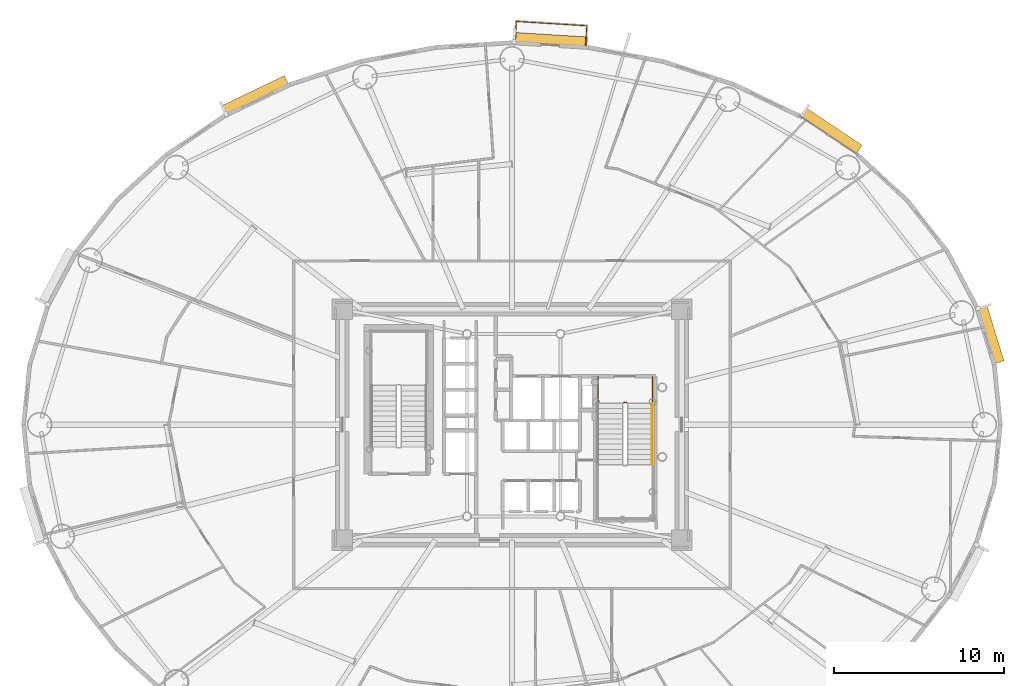
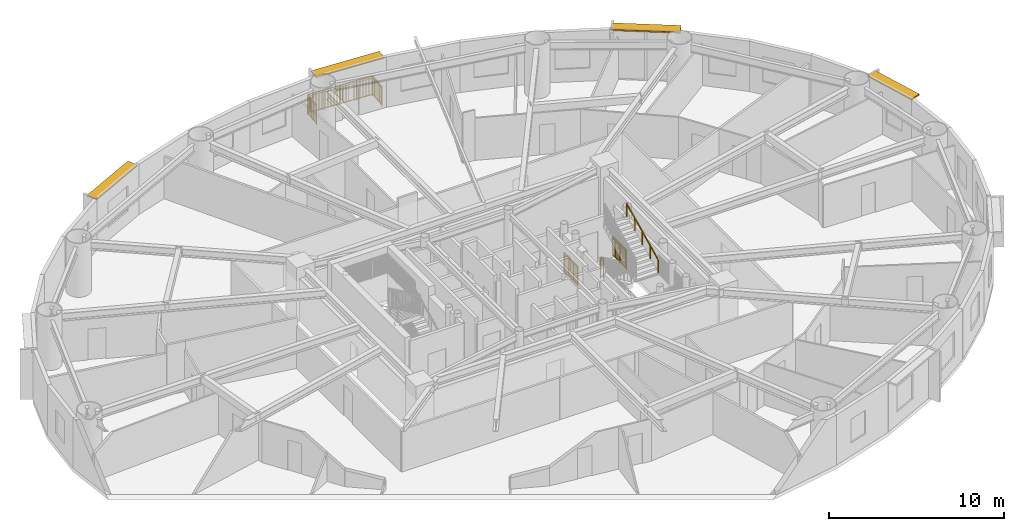
# One storey, part 22 of 22: 5 railings, 4 shading devices.
"""IFC4 building model written with IfcOpenShell, lengths in metres."""

from ifc_helpers import new_model, si_unit, direction, frame, origin, origin_2d, place, context, subcontext, project, spatial, rectangle, extrude, source, transform, mapped, material, layer, layer_set, type_object, element, save


model = new_model("IFC4")

# Units and contexts
model_context = context("Model", 3, precision=1e-05, world=origin(), true_north=direction((0.0, 1.0)))
body_context = subcontext(model_context, "Body", "Model", "MODEL_VIEW")
ifc_project = project(units=[si_unit("LENGTHUNIT", "METRE"), si_unit("AREAUNIT", "SQUARE_METRE"), si_unit("VOLUMEUNIT", "CUBIC_METRE"), si_unit("PLANEANGLEUNIT", "RADIAN"), si_unit("MASSUNIT", "GRAM", prefix="KILO")], contexts=[model_context])

# Site, building, storey
site_placement = place(None, origin())
site = spatial("IfcSite", under=ifc_project, at=site_placement, CompositionType="ELEMENT")
building_placement = place(site_placement, origin())
building = spatial("IfcBuilding", under=site, at=building_placement, Name="Linh Dai School and Residence Tower", CompositionType="ELEMENT")
storey_placement = place(building_placement, frame((0.0, 0.0, 130.949951171875)))
storey = spatial("IfcBuildingStorey", under=building, at=storey_placement, Name="L31", CompositionType="ELEMENT", Elevation=130.949951171875)

# Shading devices
ifc_material_1 = material(Name="Terracotta Ceramic Sunshade", Category="masonry")
ifc_layer = layer(ifc_material_1, 0.10009765625)
ifc_layer_set = layer_set([ifc_layer], Name="Terracotta Ceramic Sunshade")
shading_device_type = type_object("IfcShadingDeviceType", Name="SHD-TC-650", PredefinedType="USERDEFINED", material=ifc_layer_set)
shared_shape_1 = source(origin(), body_context, "Body", "SweptSolid", [
    extrude(rectangle(XDim=3.44384765625, YDim=0.64990234375, at=origin_2d()), origin(), (0.0, 0.0, 1.0), 0.10009765625),
])
shading_device_1_placement = place(storey_placement, frame((64.16845703125, 32.313720703125, 3.3798828125), z_axis=(0.0, 0.0, 1.0), x_axis=(0.293133528962, -0.956071511028, 0.0)))
element("IfcShadingDevice", 1, at=shading_device_1_placement, inside=storey, type_object=shading_device_type, Name="L31 Terracotta Horizontal Sunshade Band 02", ObjectType="SUNSHADE", PredefinedType="USERDEFINED", context=body_context, shape_type="MappedRepresentation", body=[
    mapped(shared_shape_1, transform((0.0, 0.0, 0.0), x_axis=(1.0, 0.0, 0.0), y_axis=(0.0, 1.0, 0.0), z_axis=(0.0, 0.0, 1.0), scale=1.0)),
])
shared_shape_2 = source(origin(), body_context, "Body", "SweptSolid", [
    extrude(rectangle(XDim=3.96484375, YDim=0.64990234375, at=origin_2d()), origin(), (0.0, 0.0, 1.0), 0.10009765625),
])
shading_device_2_placement = place(storey_placement, frame((54.80029296875, 44.288330078125, 3.3798828125), z_axis=(0.0, 0.0, 1.0), x_axis=(0.831240347736, -0.555913198527, 0.0)))
element("IfcShadingDevice", 2, at=shading_device_2_placement, inside=storey, type_object=shading_device_type, Name="L31 Terracotta Horizontal Sunshade Band 06", ObjectType="SUNSHADE", PredefinedType="USERDEFINED", context=body_context, shape_type="MappedRepresentation", body=[
    mapped(shared_shape_2, transform((0.0, 0.0, 0.0), x_axis=(1.0, 0.0, 0.0), y_axis=(0.0, 1.0, 0.0), z_axis=(0.0, 0.0, 1.0), scale=1.0)),
])
shared_shape_3 = source(origin(), body_context, "Body", "SweptSolid", [
    extrude(rectangle(XDim=4.33349609375, YDim=0.64990234375, at=origin_2d()), origin(), (0.0, 0.0, 1.0), 0.10009765625),
])
shading_device_3_placement = place(storey_placement, frame((38.270263671875, 49.650634765625, 3.3798828125), z_axis=(0.0, 0.0, 1.0), x_axis=(0.998106513123, -0.061509255091, 0.0)))
element("IfcShadingDevice", 3, at=shading_device_3_placement, inside=storey, type_object=shading_device_type, Name="L31 Terracotta Horizontal Sunshade Band 10", ObjectType="SUNSHADE", PredefinedType="USERDEFINED", context=body_context, shape_type="MappedRepresentation", body=[
    mapped(shared_shape_3, transform((0.0, 0.0, 0.0), x_axis=(1.0, 0.0, 0.0), y_axis=(0.0, 1.0, 0.0), z_axis=(0.0, 0.0, 1.0), scale=1.0)),
])
shared_shape_4 = source(origin(), body_context, "Body", "SweptSolid", [
    extrude(rectangle(XDim=4.1005859375, YDim=0.64990234375, at=origin_2d()), origin(), (0.0, 0.0, 1.0), 0.10009765625),
])
shading_device_4_placement = place(storey_placement, frame((20.877197265625, 46.38037109375, 3.3798828125), z_axis=(0.0, 0.0, 1.0), x_axis=(0.901577518371, 0.432617589064, 0.0)))
element("IfcShadingDevice", 4, at=shading_device_4_placement, inside=storey, type_object=shading_device_type, Name="L31 Terracotta Horizontal Sunshade Band 14", ObjectType="SUNSHADE", PredefinedType="USERDEFINED", context=body_context, shape_type="MappedRepresentation", body=[
    mapped(shared_shape_4, transform((0.0, 0.0, 0.0), x_axis=(1.0, 0.0, 0.0), y_axis=(0.0, 1.0, 0.0), z_axis=(0.0, 0.0, 1.0), scale=1.0)),
])

# Railings
ifc_material_2 = material(Name="Structural Steel S355JR", Category="steel")
railing_type_1 = type_object("IfcRailingType", Name="RL-BAL-1400", PredefinedType="BALUSTRADE", material=ifc_material_2)
shared_shape_5 = source(origin(), body_context, "Body", "SweptSolid", [
    extrude(rectangle(XDim=0.048095703125, YDim=0.048095703125, at=origin_2d()), frame((0.0, 0.0, 1.3759765625), z_axis=(0.061656929038, 0.99809740161, 0.0), x_axis=(-0.99809740161, 0.061656929038, 0.0)), (0.0, 0.0, 1.0), 1.179931640625),
    extrude(rectangle(XDim=0.048095703125, YDim=0.048095703125, at=origin_2d()), frame((0.0, 0.0, 0.10009765625), z_axis=(0.061656929038, 0.99809740161, 0.0), x_axis=(-0.99809740161, 0.061656929038, 0.0)), (0.0, 0.0, 1.0), 1.179931640625),
    extrude(rectangle(XDim=0.030029296875, YDim=0.030029296875, at=origin_2d()), frame((0.0, 0.0, 1.239990234375), z_axis=(0.061656929038, 0.99809740161, 0.0), x_axis=(-0.99809740161, 0.061656929038, 0.0)), (0.0, 0.0, 1.0), 1.179931640625),
    extrude(rectangle(XDim=0.02001953125, YDim=0.02001953125, at=origin_2d()), frame((0.005615234375, 0.090576171875, 0.10009765625)), (0.0, 0.0, 1.0), 1.251708984375),
    extrude(rectangle(XDim=0.02001953125, YDim=0.02001953125, at=origin_2d()), frame((0.01123046875, 0.18115234375, 0.10009765625)), (0.0, 0.0, 1.0), 1.251708984375),
    extrude(rectangle(XDim=0.02001953125, YDim=0.02001953125, at=origin_2d()), frame((0.016845703125, 0.271728515625, 0.10009765625)), (0.0, 0.0, 1.0), 1.251708984375),
    extrude(rectangle(XDim=0.02001953125, YDim=0.02001953125, at=origin_2d()), frame((0.0224609375, 0.3623046875, 0.10009765625)), (0.0, 0.0, 1.0), 1.251708984375),
    extrude(rectangle(XDim=0.02001953125, YDim=0.02001953125, at=origin_2d()), frame((0.028076171875, 0.452880859375, 0.10009765625)), (0.0, 0.0, 1.0), 1.251708984375),
    extrude(rectangle(XDim=0.02001953125, YDim=0.02001953125, at=origin_2d()), frame((0.03369140625, 0.54345703125, 0.10009765625)), (0.0, 0.0, 1.0), 1.251708984375),
    extrude(rectangle(XDim=0.02001953125, YDim=0.02001953125, at=origin_2d()), frame((0.0390625, 0.63427734375, 0.10009765625)), (0.0, 0.0, 1.0), 1.251708984375),
    extrude(rectangle(XDim=0.02001953125, YDim=0.02001953125, at=origin_2d()), frame((0.044677734375, 0.724853515625, 0.10009765625)), (0.0, 0.0, 1.0), 1.251708984375),
    extrude(rectangle(XDim=0.02001953125, YDim=0.02001953125, at=origin_2d()), frame((0.05029296875, 0.8154296875, 0.10009765625)), (0.0, 0.0, 1.0), 1.251708984375),
    extrude(rectangle(XDim=0.02001953125, YDim=0.02001953125, at=origin_2d()), frame((0.055908203125, 0.906005859375, 0.10009765625)), (0.0, 0.0, 1.0), 1.251708984375),
    extrude(rectangle(XDim=0.02001953125, YDim=0.02001953125, at=origin_2d()), frame((0.0615234375, 0.99658203125, 0.10009765625)), (0.0, 0.0, 1.0), 1.251708984375),
    extrude(rectangle(XDim=0.02001953125, YDim=0.02001953125, at=origin_2d()), frame((0.067138671875, 1.087158203125, 0.10009765625)), (0.0, 0.0, 1.0), 1.251708984375),
    extrude(rectangle(XDim=0.048095703125, YDim=0.048095703125, at=origin_2d()), frame((0.07275390625, 1.177734375, 1.3759765625), z_axis=(0.998105045747, -0.061533061467, 0.0), x_axis=(0.061533061467, 0.998105045747, 0.0)), (0.0, 0.0, 1.0), 4.154052734375),
    extrude(rectangle(XDim=0.048095703125, YDim=0.048095703125, at=origin_2d()), frame((0.07275390625, 1.177734375, 0.10009765625), z_axis=(0.998105045747, -0.061533061467, 0.0), x_axis=(0.061533061467, 0.998105045747, 0.0)), (0.0, 0.0, 1.0), 4.154052734375),
    extrude(rectangle(XDim=0.030029296875, YDim=0.030029296875, at=origin_2d()), frame((0.07275390625, 1.177734375, 1.239990234375), z_axis=(0.998105045747, -0.061533061467, 0.0), x_axis=(0.061533061467, 0.998105045747, 0.0)), (0.0, 0.0, 1.0), 4.154052734375),
    extrude(rectangle(XDim=0.02001953125, YDim=0.02001953125, at=origin_2d()), frame((0.169189453125, 1.171875, 0.10009765625)), (0.0, 0.0, 1.0), 1.251708984375),
    extrude(rectangle(XDim=0.02001953125, YDim=0.02001953125, at=origin_2d()), frame((0.265625, 1.165771484375, 0.10009765625)), (0.0, 0.0, 1.0), 1.251708984375),
    extrude(rectangle(XDim=0.02001953125, YDim=0.02001953125, at=origin_2d()), frame((0.362060546875, 1.159912109375, 0.10009765625)), (0.0, 0.0, 1.0), 1.251708984375),
    extrude(rectangle(XDim=0.02001953125, YDim=0.02001953125, at=origin_2d()), frame((0.45849609375, 1.154052734375, 0.10009765625)), (0.0, 0.0, 1.0), 1.251708984375),
    extrude(rectangle(XDim=0.02001953125, YDim=0.02001953125, at=origin_2d()), frame((0.554931640625, 1.14794921875, 0.10009765625)), (0.0, 0.0, 1.0), 1.251708984375),
    extrude(rectangle(XDim=0.02001953125, YDim=0.02001953125, at=origin_2d()), frame((0.6513671875, 1.14208984375, 0.10009765625)), (0.0, 0.0, 1.0), 1.251708984375),
    extrude(rectangle(XDim=0.02001953125, YDim=0.02001953125, at=origin_2d()), frame((0.747802734375, 1.13623046875, 0.10009765625)), (0.0, 0.0, 1.0), 1.251708984375),
    extrude(rectangle(XDim=0.02001953125, YDim=0.02001953125, at=origin_2d()), frame((0.84423828125, 1.130126953125, 0.10009765625)), (0.0, 0.0, 1.0), 1.251708984375),
    extrude(rectangle(XDim=0.02001953125, YDim=0.02001953125, at=origin_2d()), frame((0.940673828125, 1.124267578125, 0.10009765625)), (0.0, 0.0, 1.0), 1.251708984375),
    extrude(rectangle(XDim=0.02001953125, YDim=0.02001953125, at=origin_2d()), frame((1.037109375, 1.118408203125, 0.10009765625)), (0.0, 0.0, 1.0), 1.251708984375),
    extrude(rectangle(XDim=0.02001953125, YDim=0.02001953125, at=origin_2d()), frame((1.229736328125, 1.1064453125, 0.10009765625)), (0.0, 0.0, 1.0), 1.251708984375),
    extrude(rectangle(XDim=0.02001953125, YDim=0.02001953125, at=origin_2d()), frame((1.326171875, 1.100341796875, 0.10009765625)), (0.0, 0.0, 1.0), 1.251708984375),
    extrude(rectangle(XDim=0.02001953125, YDim=0.02001953125, at=origin_2d()), frame((1.422607421875, 1.094482421875, 0.10009765625)), (0.0, 0.0, 1.0), 1.251708984375),
    extrude(rectangle(XDim=0.02001953125, YDim=0.02001953125, at=origin_2d()), frame((1.51904296875, 1.088623046875, 0.10009765625)), (0.0, 0.0, 1.0), 1.251708984375),
    extrude(rectangle(XDim=0.02001953125, YDim=0.02001953125, at=origin_2d()), frame((1.615478515625, 1.08251953125, 0.10009765625)), (0.0, 0.0, 1.0), 1.251708984375),
    extrude(rectangle(XDim=0.02001953125, YDim=0.02001953125, at=origin_2d()), frame((1.7119140625, 1.07666015625, 0.10009765625)), (0.0, 0.0, 1.0), 1.251708984375),
    extrude(rectangle(XDim=0.02001953125, YDim=0.02001953125, at=origin_2d()), frame((1.808349609375, 1.07080078125, 0.10009765625)), (0.0, 0.0, 1.0), 1.251708984375),
    extrude(rectangle(XDim=0.02001953125, YDim=0.02001953125, at=origin_2d()), frame((1.90478515625, 1.064697265625, 0.10009765625)), (0.0, 0.0, 1.0), 1.251708984375),
    extrude(rectangle(XDim=0.02001953125, YDim=0.02001953125, at=origin_2d()), frame((2.001220703125, 1.058837890625, 0.10009765625)), (0.0, 0.0, 1.0), 1.251708984375),
    extrude(rectangle(XDim=0.02001953125, YDim=0.02001953125, at=origin_2d()), frame((2.09765625, 1.052978515625, 0.10009765625)), (0.0, 0.0, 1.0), 1.251708984375),
    extrude(rectangle(XDim=0.02001953125, YDim=0.02001953125, at=origin_2d()), frame((2.194091796875, 1.046875, 0.10009765625)), (0.0, 0.0, 1.0), 1.251708984375),
    extrude(rectangle(XDim=0.02001953125, YDim=0.02001953125, at=origin_2d()), frame((2.29052734375, 1.041015625, 0.10009765625)), (0.0, 0.0, 1.0), 1.251708984375),
    extrude(rectangle(XDim=0.02001953125, YDim=0.02001953125, at=origin_2d()), frame((2.386962890625, 1.03515625, 0.10009765625)), (0.0, 0.0, 1.0), 1.251708984375),
    extrude(rectangle(XDim=0.02001953125, YDim=0.02001953125, at=origin_2d()), frame((2.4833984375, 1.029052734375, 0.10009765625)), (0.0, 0.0, 1.0), 1.251708984375),
    extrude(rectangle(XDim=0.02001953125, YDim=0.02001953125, at=origin_2d()), frame((2.579833984375, 1.023193359375, 0.10009765625)), (0.0, 0.0, 1.0), 1.251708984375),
    extrude(rectangle(XDim=0.02001953125, YDim=0.02001953125, at=origin_2d()), frame((2.67626953125, 1.017333984375, 0.10009765625)), (0.0, 0.0, 1.0), 1.251708984375),
    extrude(rectangle(XDim=0.02001953125, YDim=0.02001953125, at=origin_2d()), frame((2.772705078125, 1.01123046875, 0.10009765625)), (0.0, 0.0, 1.0), 1.251708984375),
    extrude(rectangle(XDim=0.02001953125, YDim=0.02001953125, at=origin_2d()), frame((2.869140625, 1.00537109375, 0.10009765625)), (0.0, 0.0, 1.0), 1.251708984375),
    extrude(rectangle(XDim=0.02001953125, YDim=0.02001953125, at=origin_2d()), frame((2.965576171875, 0.99951171875, 0.10009765625)), (0.0, 0.0, 1.0), 1.251708984375),
    extrude(rectangle(XDim=0.02001953125, YDim=0.02001953125, at=origin_2d()), frame((3.06201171875, 0.993408203125, 0.10009765625)), (0.0, 0.0, 1.0), 1.251708984375),
    extrude(rectangle(XDim=0.02001953125, YDim=0.02001953125, at=origin_2d()), frame((3.254638671875, 0.9814453125, 0.10009765625)), (0.0, 0.0, 1.0), 1.251708984375),
    extrude(rectangle(XDim=0.02001953125, YDim=0.02001953125, at=origin_2d()), frame((3.35107421875, 0.9755859375, 0.10009765625)), (0.0, 0.0, 1.0), 1.251708984375),
    extrude(rectangle(XDim=0.02001953125, YDim=0.02001953125, at=origin_2d()), frame((3.447509765625, 0.9697265625, 0.10009765625)), (0.0, 0.0, 1.0), 1.251708984375),
    extrude(rectangle(XDim=0.02001953125, YDim=0.02001953125, at=origin_2d()), frame((3.5439453125, 0.963623046875, 0.10009765625)), (0.0, 0.0, 1.0), 1.251708984375),
    extrude(rectangle(XDim=0.02001953125, YDim=0.02001953125, at=origin_2d()), frame((3.640380859375, 0.957763671875, 0.10009765625)), (0.0, 0.0, 1.0), 1.251708984375),
    extrude(rectangle(XDim=0.02001953125, YDim=0.02001953125, at=origin_2d()), frame((3.73681640625, 0.951904296875, 0.10009765625)), (0.0, 0.0, 1.0), 1.251708984375),
    extrude(rectangle(XDim=0.02001953125, YDim=0.02001953125, at=origin_2d()), frame((3.833251953125, 0.94580078125, 0.10009765625)), (0.0, 0.0, 1.0), 1.251708984375),
    extrude(rectangle(XDim=0.02001953125, YDim=0.02001953125, at=origin_2d()), frame((3.9296875, 0.93994140625, 0.10009765625)), (0.0, 0.0, 1.0), 1.251708984375),
    extrude(rectangle(XDim=0.02001953125, YDim=0.02001953125, at=origin_2d()), frame((4.026123046875, 0.93408203125, 0.10009765625)), (0.0, 0.0, 1.0), 1.251708984375),
    extrude(rectangle(XDim=0.02001953125, YDim=0.02001953125, at=origin_2d()), frame((4.12255859375, 0.927978515625, 0.10009765625)), (0.0, 0.0, 1.0), 1.251708984375),
    extrude(rectangle(XDim=0.048095703125, YDim=0.048095703125, at=origin_2d()), frame((4.218994140625, 0.922119140625, 1.3759765625), z_axis=(-0.061656929038, -0.99809740161, 0.0), x_axis=(0.99809740161, -0.061656929038, 0.0)), (0.0, 0.0, 1.0), 1.179931640625),
    extrude(rectangle(XDim=0.048095703125, YDim=0.048095703125, at=origin_2d()), frame((4.218994140625, 0.922119140625, 0.10009765625), z_axis=(-0.061656929038, -0.99809740161, 0.0), x_axis=(0.99809740161, -0.061656929038, 0.0)), (0.0, 0.0, 1.0), 1.179931640625),
    extrude(rectangle(XDim=0.030029296875, YDim=0.030029296875, at=origin_2d()), frame((4.218994140625, 0.922119140625, 1.239990234375), z_axis=(-0.061656929038, -0.99809740161, 0.0), x_axis=(0.99809740161, -0.061656929038, 0.0)), (0.0, 0.0, 1.0), 1.179931640625),
    extrude(rectangle(XDim=0.02001953125, YDim=0.02001953125, at=origin_2d()), frame((4.21337890625, 0.83154296875, 0.10009765625)), (0.0, 0.0, 1.0), 1.251708984375),
    extrude(rectangle(XDim=0.02001953125, YDim=0.02001953125, at=origin_2d()), frame((4.207763671875, 0.740966796875, 0.10009765625)), (0.0, 0.0, 1.0), 1.251708984375),
    extrude(rectangle(XDim=0.02001953125, YDim=0.02001953125, at=origin_2d()), frame((4.2021484375, 0.650390625, 0.10009765625)), (0.0, 0.0, 1.0), 1.251708984375),
    extrude(rectangle(XDim=0.02001953125, YDim=0.02001953125, at=origin_2d()), frame((4.196533203125, 0.559814453125, 0.10009765625)), (0.0, 0.0, 1.0), 1.251708984375),
    extrude(rectangle(XDim=0.02001953125, YDim=0.02001953125, at=origin_2d()), frame((4.19091796875, 0.46923828125, 0.10009765625)), (0.0, 0.0, 1.0), 1.251708984375),
    extrude(rectangle(XDim=0.02001953125, YDim=0.02001953125, at=origin_2d()), frame((4.185302734375, 0.378662109375, 0.10009765625)), (0.0, 0.0, 1.0), 1.251708984375),
    extrude(rectangle(XDim=0.02001953125, YDim=0.02001953125, at=origin_2d()), frame((4.179931640625, 0.287841796875, 0.10009765625)), (0.0, 0.0, 1.0), 1.251708984375),
    extrude(rectangle(XDim=0.02001953125, YDim=0.02001953125, at=origin_2d()), frame((4.17431640625, 0.197265625, 0.10009765625)), (0.0, 0.0, 1.0), 1.251708984375),
    extrude(rectangle(XDim=0.02001953125, YDim=0.02001953125, at=origin_2d()), frame((4.168701171875, 0.106689453125, 0.10009765625)), (0.0, 0.0, 1.0), 1.251708984375),
    extrude(rectangle(XDim=0.02001953125, YDim=0.02001953125, at=origin_2d()), frame((4.1630859375, 0.01611328125, 0.10009765625)), (0.0, 0.0, 1.0), 1.251708984375),
    extrude(rectangle(XDim=0.02001953125, YDim=0.02001953125, at=origin_2d()), frame((4.157470703125, -0.074462890625, 0.10009765625)), (0.0, 0.0, 1.0), 1.251708984375),
    extrude(rectangle(XDim=0.02001953125, YDim=0.02001953125, at=origin_2d()), frame((4.15185546875, -0.1650390625, 0.10009765625)), (0.0, 0.0, 1.0), 1.251708984375),
    extrude(rectangle(XDim=0.0419921875, YDim=0.0419921875, at=origin_2d()), origin(), (0.0, 0.0, 1.0), 1.3759765625),
    extrude(rectangle(XDim=0.0419921875, YDim=0.0419921875, at=origin_2d()), frame((0.07275390625, 1.177734375, 0.0)), (0.0, 0.0, 1.0), 1.3759765625),
    extrude(rectangle(XDim=0.0419921875, YDim=0.0419921875, at=origin_2d()), frame((1.109375, 1.11376953125, 0.0)), (0.0, 0.0, 1.0), 1.3759765625),
    extrude(rectangle(XDim=0.0419921875, YDim=0.0419921875, at=origin_2d()), frame((2.14599609375, 1.0498046875, 0.0)), (0.0, 0.0, 1.0), 1.3759765625),
    extrude(rectangle(XDim=0.0419921875, YDim=0.0419921875, at=origin_2d()), frame((3.182373046875, 0.986083984375, 0.0)), (0.0, 0.0, 1.0), 1.3759765625),
    extrude(rectangle(XDim=0.0419921875, YDim=0.0419921875, at=origin_2d()), frame((4.218994140625, 0.922119140625, 0.0)), (0.0, 0.0, 1.0), 1.3759765625),
    extrude(rectangle(XDim=0.0419921875, YDim=0.0419921875, at=origin_2d()), frame((4.146240234375, -0.255615234375, 0.0)), (0.0, 0.0, 1.0), 1.3759765625),
])
railing_1_placement = place(storey_placement, frame((36.184814453125, 49.578857421875, 0.0)))
element("IfcRailing", 5, at=railing_1_placement, inside=storey, type_object=railing_type_1, Name="L31 Balcony Safety Balustrade 10", PredefinedType="BALUSTRADE", context=body_context, shape_type="MappedRepresentation", body=[
    mapped(shared_shape_5, transform((0.0, 0.0, 0.0), x_axis=(1.0, 0.0, 0.0), y_axis=(0.0, 1.0, 0.0), z_axis=(0.0, 0.0, 1.0), scale=1.0)),
])
ifc_material_3 = material(Name="Brushed Stainless Steel Handrail", Category="steel")
railing_type_2 = type_object("IfcRailingType", Name="RL-ST-HANDRAIL-900", PredefinedType="HANDRAIL", material=ifc_material_3)
shared_shape_6 = source(origin(), body_context, "Body", "SweptSolid", [
    extrude(rectangle(XDim=0.048095703125, YDim=0.048095703125, at=origin_2d()), frame((0.0, 0.0, 0.8759765625), z_axis=(0.0, 0.901262522062, 0.433273431364), x_axis=(-1.0, 0.0, 0.0)), (0.0, 0.0, 1.0), 3.994384765625),
    extrude(rectangle(XDim=0.0419921875, YDim=0.0419921875, at=origin_2d()), origin(), (0.0, 0.0, 1.0), 0.8759765625),
    extrude(rectangle(XDim=0.0419921875, YDim=0.0419921875, at=origin_2d()), frame((0.0, 0.89990234375, 0.4326171875)), (0.0, 0.0, 1.0), 0.8759765625),
    extrude(rectangle(XDim=0.0419921875, YDim=0.0419921875, at=origin_2d()), frame((0.0, 1.800048828125, 0.865234375)), (0.0, 0.0, 1.0), 0.8759765625),
    extrude(rectangle(XDim=0.0419921875, YDim=0.0419921875, at=origin_2d()), frame((0.0, 2.7001953125, 1.298095703125)), (0.0, 0.0, 1.0), 0.8759765625),
    extrude(rectangle(XDim=0.0419921875, YDim=0.0419921875, at=origin_2d()), frame((0.0, 3.60009765625, 1.730712890625)), (0.0, 0.0, 1.0), 0.8759765625),
])
railing_2_placement = place(storey_placement, frame((44.27001953125, 24.64990234375, 2.019287109375)))
element("IfcRailing", 6, at=railing_2_placement, inside=storey, type_object=railing_type_2, Name="L31 ST2 stair handrail 2", PredefinedType="HANDRAIL", context=body_context, shape_type="MappedRepresentation", body=[
    mapped(shared_shape_6, transform((0.0, 0.0, 0.0), x_axis=(1.0, 0.0, 0.0), y_axis=(0.0, 1.0, 0.0), z_axis=(0.0, 0.0, 1.0), scale=1.0)),
])
railing_type_3 = type_object("IfcRailingType", Name="RL-ST-GUARD-1400", PredefinedType="GUARDRAIL", material=ifc_material_2)
shared_shape_7 = source(origin(), body_context, "Body", "SweptSolid", [
    extrude(rectangle(XDim=0.048095703125, YDim=0.048095703125, at=origin_2d()), frame((0.0, 0.0, 1.3759765625), z_axis=(1.0, 0.0, 0.0), x_axis=(0.0, 1.0, 0.0)), (0.0, 0.0, 1.0), 0.199951171875),
    extrude(rectangle(XDim=0.048095703125, YDim=0.048095703125, at=origin_2d()), frame((0.0, 0.0, 0.10009765625), z_axis=(1.0, 0.0, 0.0), x_axis=(0.0, 1.0, 0.0)), (0.0, 0.0, 1.0), 0.199951171875),
    extrude(rectangle(XDim=0.030029296875, YDim=0.030029296875, at=origin_2d()), frame((0.0, 0.0, 1.239990234375), z_axis=(1.0, 0.0, 0.0), x_axis=(0.0, 1.0, 0.0)), (0.0, 0.0, 1.0), 0.199951171875),
    extrude(rectangle(XDim=0.0419921875, YDim=0.0419921875, at=origin_2d()), origin(), (0.0, 0.0, 1.0), 1.3759765625),
    extrude(rectangle(XDim=0.0419921875, YDim=0.0419921875, at=origin_2d()), frame((0.199951171875, 0.0, 0.0)), (0.0, 0.0, 1.0), 1.3759765625),
])
railing_3_placement = place(storey_placement, frame((42.570068359375, 28.300048828125, 0.0)))
element("IfcRailing", 7, at=railing_3_placement, inside=storey, type_object=railing_type_3, Name="L31 ST2 stair guard 7", PredefinedType="GUARDRAIL", context=body_context, shape_type="MappedRepresentation", body=[
    mapped(shared_shape_7, transform((0.0, 0.0, 0.0), x_axis=(1.0, 0.0, 0.0), y_axis=(0.0, 1.0, 0.0), z_axis=(0.0, 0.0, 1.0), scale=1.0)),
])
shared_shape_8 = source(origin(), body_context, "Body", "SweptSolid", [
    extrude(rectangle(XDim=0.048095703125, YDim=0.048095703125, at=origin_2d()), frame((0.0, 0.0, 1.3759765625), z_axis=(0.0, -1.0, 0.0), x_axis=(1.0, 0.0, 0.0)), (0.0, 0.0, 1.0), 1.60009765625),
    extrude(rectangle(XDim=0.048095703125, YDim=0.048095703125, at=origin_2d()), frame((0.0, 0.0, 0.10009765625), z_axis=(0.0, -1.0, 0.0), x_axis=(1.0, 0.0, 0.0)), (0.0, 0.0, 1.0), 1.60009765625),
    extrude(rectangle(XDim=0.030029296875, YDim=0.030029296875, at=origin_2d()), frame((0.0, 0.0, 1.239990234375), z_axis=(0.0, -1.0, 0.0), x_axis=(1.0, 0.0, 0.0)), (0.0, 0.0, 1.0), 1.60009765625),
    extrude(rectangle(XDim=0.02001953125, YDim=0.02001953125, at=origin_2d()), frame((0.0, -0.09423828125, 0.10009765625)), (0.0, 0.0, 1.0), 1.251708984375),
    extrude(rectangle(XDim=0.02001953125, YDim=0.02001953125, at=origin_2d()), frame((0.0, -0.188232421875, 0.10009765625)), (0.0, 0.0, 1.0), 1.251708984375),
    extrude(rectangle(XDim=0.02001953125, YDim=0.02001953125, at=origin_2d()), frame((0.0, -0.282470703125, 0.10009765625)), (0.0, 0.0, 1.0), 1.251708984375),
    extrude(rectangle(XDim=0.02001953125, YDim=0.02001953125, at=origin_2d()), frame((0.0, -0.37646484375, 0.10009765625)), (0.0, 0.0, 1.0), 1.251708984375),
    extrude(rectangle(XDim=0.02001953125, YDim=0.02001953125, at=origin_2d()), frame((0.0, -0.470703125, 0.10009765625)), (0.0, 0.0, 1.0), 1.251708984375),
    extrude(rectangle(XDim=0.02001953125, YDim=0.02001953125, at=origin_2d()), frame((0.0, -0.564697265625, 0.10009765625)), (0.0, 0.0, 1.0), 1.251708984375),
    extrude(rectangle(XDim=0.02001953125, YDim=0.02001953125, at=origin_2d()), frame((0.0, -0.658935546875, 0.10009765625)), (0.0, 0.0, 1.0), 1.251708984375),
    extrude(rectangle(XDim=0.02001953125, YDim=0.02001953125, at=origin_2d()), frame((0.0, -0.7529296875, 0.10009765625)), (0.0, 0.0, 1.0), 1.251708984375),
    extrude(rectangle(XDim=0.02001953125, YDim=0.02001953125, at=origin_2d()), frame((0.0, -0.84716796875, 0.10009765625)), (0.0, 0.0, 1.0), 1.251708984375),
    extrude(rectangle(XDim=0.02001953125, YDim=0.02001953125, at=origin_2d()), frame((0.0, -0.941162109375, 0.10009765625)), (0.0, 0.0, 1.0), 1.251708984375),
    extrude(rectangle(XDim=0.02001953125, YDim=0.02001953125, at=origin_2d()), frame((0.0, -1.035400390625, 0.10009765625)), (0.0, 0.0, 1.0), 1.251708984375),
    extrude(rectangle(XDim=0.02001953125, YDim=0.02001953125, at=origin_2d()), frame((0.0, -1.12939453125, 0.10009765625)), (0.0, 0.0, 1.0), 1.251708984375),
    extrude(rectangle(XDim=0.02001953125, YDim=0.02001953125, at=origin_2d()), frame((0.0, -1.2236328125, 0.10009765625)), (0.0, 0.0, 1.0), 1.251708984375),
    extrude(rectangle(XDim=0.02001953125, YDim=0.02001953125, at=origin_2d()), frame((0.0, -1.317626953125, 0.10009765625)), (0.0, 0.0, 1.0), 1.251708984375),
    extrude(rectangle(XDim=0.02001953125, YDim=0.02001953125, at=origin_2d()), frame((0.0, -1.411865234375, 0.10009765625)), (0.0, 0.0, 1.0), 1.251708984375),
    extrude(rectangle(XDim=0.02001953125, YDim=0.02001953125, at=origin_2d()), frame((0.0, -1.505859375, 0.10009765625)), (0.0, 0.0, 1.0), 1.251708984375),
    extrude(rectangle(XDim=0.0419921875, YDim=0.0419921875, at=origin_2d()), origin(), (0.0, 0.0, 1.0), 1.3759765625),
    extrude(rectangle(XDim=0.0419921875, YDim=0.0419921875, at=origin_2d()), frame((0.0, -0.800048828125, 0.0)), (0.0, 0.0, 1.0), 1.3759765625),
    extrude(rectangle(XDim=0.0419921875, YDim=0.0419921875, at=origin_2d()), frame((0.0, -1.60009765625, 0.0)), (0.0, 0.0, 1.0), 1.3759765625),
])
for number, where, name in (
    (8, (41.070068359375, 29.85009765625, 0.0), "L31 ST2 stair guard 8"),
    (9, (44.27001953125, 29.85009765625, 0.0), "L31 ST2 stair guard 9"),
):
    element("IfcRailing", number, at=place(storey_placement, frame(where)), inside=storey, type_object=railing_type_3, Name=name, PredefinedType="GUARDRAIL", context=body_context, shape_type="MappedRepresentation", body=[
        mapped(shared_shape_8, transform((0.0, 0.0, 0.0), x_axis=(1.0, 0.0, 0.0), y_axis=(0.0, 1.0, 0.0), z_axis=(0.0, 0.0, 1.0), scale=1.0)),
    ])

save(model, "model.ifc")
